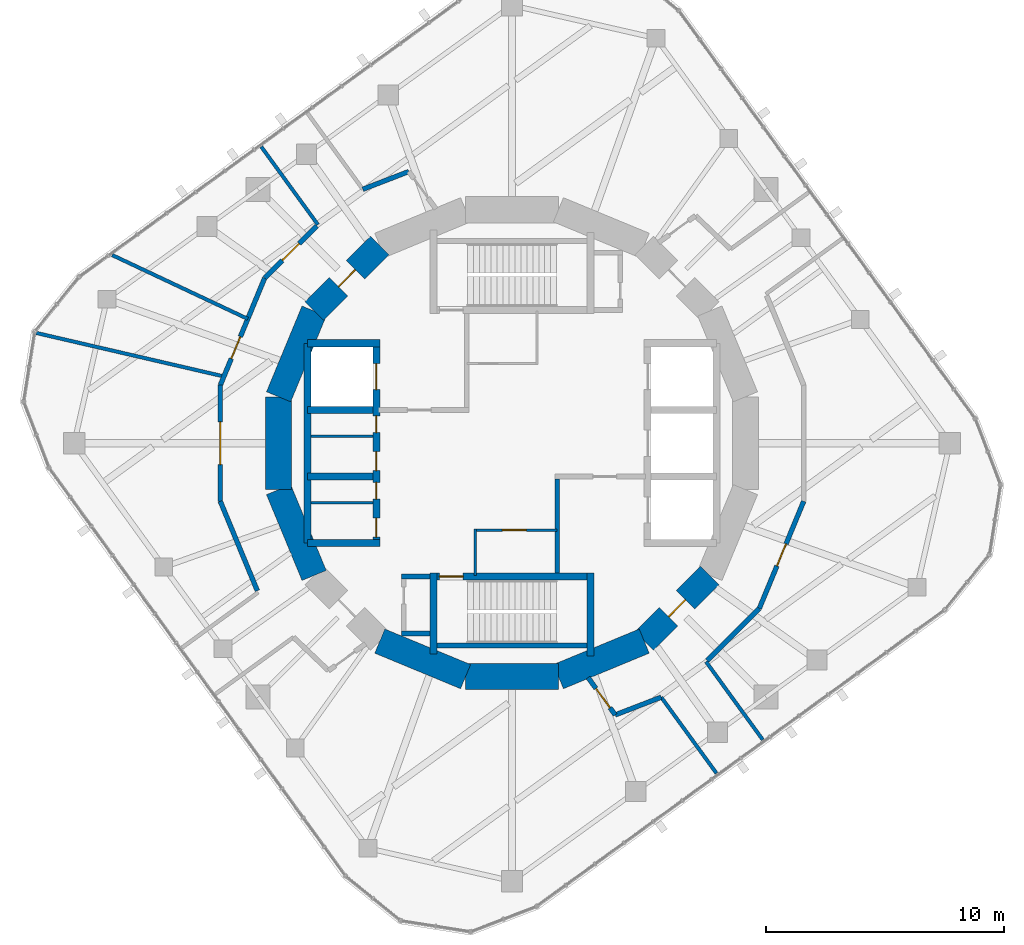
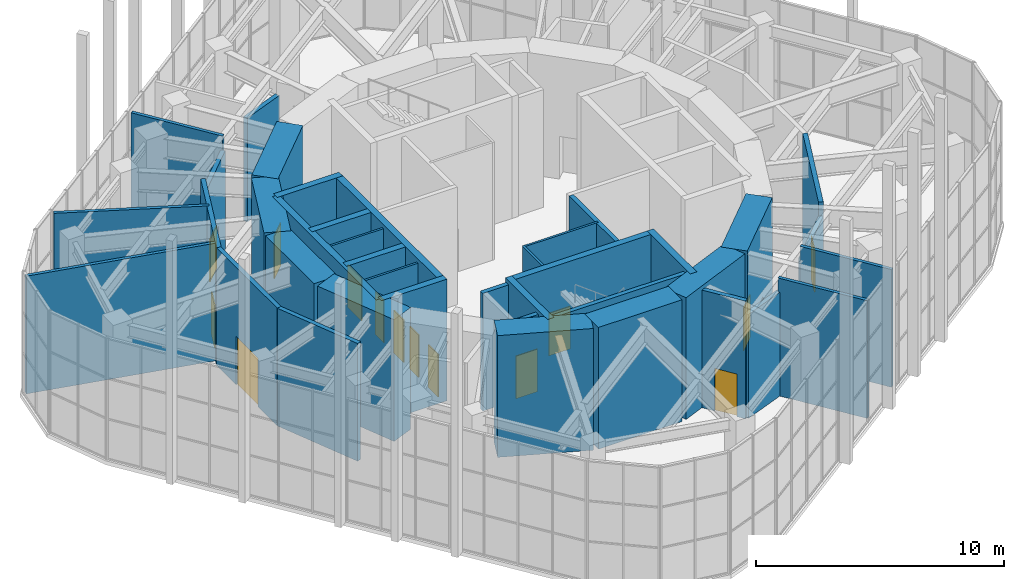
# One storey, part 15 of 17: 39 walls, 14 doors, 14 openings.
"""IFC4 building model written with IfcOpenShell, lengths in metres."""

from ifc_helpers import new_model, si_unit, direction, frame, frame_2d, origin, place, context, subcontext, project, spatial, rectangle, extrude, material, layer, layer_set, type_object, element, fill, save


model = new_model("IFC4")

# Units and contexts
model_context = context("Model", 3, precision=1e-05, world=origin(), true_north=direction((0.0, 1.0)))
body_context = subcontext(model_context, "Body", "Model", "MODEL_VIEW")
ifc_project = project(units=[si_unit("LENGTHUNIT", "METRE"), si_unit("AREAUNIT", "SQUARE_METRE"), si_unit("VOLUMEUNIT", "CUBIC_METRE"), si_unit("PLANEANGLEUNIT", "RADIAN"), si_unit("MASSUNIT", "GRAM", prefix="KILO")], contexts=[model_context])

# Site, building, storey
site_placement = place(None, origin())
site = spatial("IfcSite", under=ifc_project, at=site_placement, CompositionType="ELEMENT")
building_placement = place(site_placement, origin())
building = spatial("IfcBuilding", under=site, at=building_placement, Name="Nakasero Lantern House", CompositionType="ELEMENT")
storey_placement = place(building_placement, frame((0.0, 0.0, 298.39990234375)))
storey = spatial("IfcBuildingStorey", under=building, at=storey_placement, Name="L73", CompositionType="ELEMENT", Elevation=298.39990234375)

# Wall, openings, doors
ifc_material_1 = material(Name="Concrete C50/60", Category="concrete")
ifc_layer_1 = layer(ifc_material_1, 0.300048828125)
ifc_layer_set_1 = layer_set([ifc_layer_1], Name="Core inner wall 300")
wall_type_1 = type_object("IfcWallType", Name="Core inner wall 300", PredefinedType="SHEAR", material=ifc_layer_set_1)
wall_1_placement = place(storey_placement, frame((-5.699951171875, -4.199951171875, 0.0), z_axis=(0.0, 0.0, 1.0), x_axis=(0.0, 1.0, 0.0)))
wall_1 = element("IfcWall", 1, at=wall_1_placement, inside=storey, type_object=wall_type_1, Name="Core inner wall L73 LW", PredefinedType="SHEAR", context=body_context, shape_type="SweptSolid", body=[
    extrude(rectangle(XDim=8.39990234375, YDim=0.300048828125, at=frame_2d((4.199951171875, 0.0))), origin(), (0.0, 0.0, 1.0), 6.0),
])
opening_1_placement = place(wall_1_placement, frame((0.25, 0.0, 0.0)))
opening_1 = element("IfcOpeningElement", 2, at=opening_1_placement, cuts=wall_1, Name="Opening D15", PredefinedType="OPENING", context=body_context, shape_type="SweptSolid", body=[
    extrude(rectangle(XDim=0.800048828125, YDim=2.10009765625, at=frame_2d((0.39990234375, 1.050048828125))), frame((0.0, 0.169921875, 0.0), z_axis=(0.0, -1.0, 0.0), x_axis=(1.0, 0.0, 0.0)), (0.0, 0.0, 1.0), 0.340087890625),
])
opening_2_placement = place(wall_1_placement, frame((1.85009765625, 0.0, 0.0)))
opening_2 = element("IfcOpeningElement", 3, at=opening_2_placement, cuts=wall_1, Name="Opening D20", PredefinedType="OPENING", context=body_context, shape_type="SweptSolid", body=[
    extrude(rectangle(XDim=0.699951171875, YDim=2.10009765625, at=frame_2d((0.35009765625, 1.050048828125))), frame((0.0, 0.169921875, 0.0), z_axis=(0.0, -1.0, 0.0), x_axis=(1.0, 0.0, 0.0)), (0.0, 0.0, 1.0), 0.340087890625),
])
opening_3_placement = place(wall_1_placement, frame((3.050048828125, 0.0, 0.0)))
opening_3 = element("IfcOpeningElement", 4, at=opening_3_placement, cuts=wall_1, Name="Opening D15", PredefinedType="OPENING", context=body_context, shape_type="SweptSolid", body=[
    extrude(rectangle(XDim=0.800048828125, YDim=2.10009765625, at=frame_2d((0.39990234375, 1.050048828125))), frame((0.0, 0.169921875, 0.0), z_axis=(0.0, -1.0, 0.0), x_axis=(1.0, 0.0, 0.0)), (0.0, 0.0, 1.0), 0.340087890625),
])
opening_4_placement = place(wall_1_placement, frame((4.64990234375, 0.0, 0.0)))
opening_4 = element("IfcOpeningElement", 5, at=opening_4_placement, cuts=wall_1, Name="Opening D20", PredefinedType="OPENING", context=body_context, shape_type="SweptSolid", body=[
    extrude(rectangle(XDim=0.699951171875, YDim=2.10009765625, at=frame_2d((0.35009765625, 1.050048828125))), frame((0.0, 0.169921875, 0.0), z_axis=(0.0, -1.0, 0.0), x_axis=(1.0, 0.0, 0.0)), (0.0, 0.0, 1.0), 0.340087890625),
])
opening_5_placement = place(wall_1_placement, frame((6.449951171875, 0.0, 0.0)))
opening_5 = element("IfcOpeningElement", 6, at=opening_5_placement, cuts=wall_1, Name="Opening LD", PredefinedType="OPENING", context=body_context, shape_type="SweptSolid", body=[
    extrude(rectangle(XDim=1.10009765625, YDim=2.10009765625, at=frame_2d((0.550048828125, 1.050048828125))), frame((0.0, 0.169921875, 0.0), z_axis=(0.0, -1.0, 0.0), x_axis=(1.0, 0.0, 0.0)), (0.0, 0.0, 1.0), 0.340087890625),
])
ifc_material_2 = material(Name="Timber C24", Category="wood")
door_type_1 = type_object("IfcDoorType", Name="Cleaner's store door FD30S 700", OperationType="SINGLE_SWING_LEFT", PredefinedType="DOOR", material=ifc_material_2)
door_1_placement = place(opening_2_placement, origin())
door_1 = element("IfcDoor", 7, at=door_1_placement, inside=storey, type_object=door_type_1, Name="Door L73 D-SH-LW1b", OperationType="SINGLE_SWING_LEFT", OverallHeight=2.10009765625, OverallWidth=0.699951171875, PredefinedType="DOOR", context=body_context, shape_type="SweptSolid", body=[
    extrude(rectangle(XDim=0.699951171875, YDim=2.10009765625, at=frame_2d((0.35009765625, 1.050048828125))), frame((0.0, 0.02490234375, 0.0), z_axis=(0.0, -1.0, 0.0), x_axis=(1.0, 0.0, 0.0)), (0.0, 0.0, 1.0), 0.050048828125),
])
fill(opening_2, door_1)
door_2_placement = place(opening_4_placement, origin())
door_2 = element("IfcDoor", 8, at=door_2_placement, inside=storey, type_object=door_type_1, Name="Door L73 D-SH-LW2b", OperationType="SINGLE_SWING_RIGHT", OverallHeight=2.10009765625, OverallWidth=0.699951171875, PredefinedType="DOOR", context=body_context, shape_type="SweptSolid", body=[
    extrude(rectangle(XDim=0.699951171875, YDim=2.10009765625, at=frame_2d((0.35009765625, 1.050048828125))), frame((0.0, 0.02490234375, 0.0), z_axis=(0.0, -1.0, 0.0), x_axis=(1.0, 0.0, 0.0)), (0.0, 0.0, 1.0), 0.050048828125),
])
fill(opening_4, door_2)
ifc_material_3 = material(Name="Timber C24", Category="wood")
door_type_2 = type_object("IfcDoorType", Name="Cleaner's store door FD30S 800", OperationType="SINGLE_SWING_LEFT", PredefinedType="DOOR", material=ifc_material_3)
door_3_placement = place(opening_1_placement, origin())
door_3 = element("IfcDoor", 9, at=door_3_placement, inside=storey, type_object=door_type_2, Name="Door L73 D-SH-LW1a", OperationType="SINGLE_SWING_LEFT", OverallHeight=2.10009765625, OverallWidth=0.800048828125, PredefinedType="DOOR", context=body_context, shape_type="SweptSolid", body=[
    extrude(rectangle(XDim=0.800048828125, YDim=2.10009765625, at=frame_2d((0.39990234375, 1.050048828125))), frame((0.0, 0.02490234375, 0.0), z_axis=(0.0, -1.0, 0.0), x_axis=(1.0, 0.0, 0.0)), (0.0, 0.0, 1.0), 0.050048828125),
])
fill(opening_1, door_3)
door_4_placement = place(opening_3_placement, origin())
door_4 = element("IfcDoor", 10, at=door_4_placement, inside=storey, type_object=door_type_2, Name="Door L73 D-SH-LW2a", OperationType="SINGLE_SWING_LEFT", OverallHeight=2.10009765625, OverallWidth=0.800048828125, PredefinedType="DOOR", context=body_context, shape_type="SweptSolid", body=[
    extrude(rectangle(XDim=0.800048828125, YDim=2.10009765625, at=frame_2d((0.39990234375, 1.050048828125))), frame((0.0, 0.02490234375, 0.0), z_axis=(0.0, -1.0, 0.0), x_axis=(1.0, 0.0, 0.0)), (0.0, 0.0, 1.0), 0.050048828125),
])
fill(opening_3, door_4)
ifc_material_4 = material(Name="Steel S355", Category="steel")
door_type_3 = type_object("IfcDoorType", Name="Lift landing door E120 1100", OperationType="SLIDING_TO_LEFT", PredefinedType="DOOR", material=ifc_material_4)
door_5_placement = place(opening_5_placement, origin())
door_5 = element("IfcDoor", 11, at=door_5_placement, inside=storey, type_object=door_type_3, Name="Lift landing door LW3", OperationType="SLIDING_TO_LEFT", OverallHeight=2.10009765625, OverallWidth=1.10009765625, PredefinedType="DOOR", context=body_context, shape_type="SweptSolid", body=[
    extrude(rectangle(XDim=1.10009765625, YDim=2.10009765625, at=frame_2d((0.550048828125, 1.050048828125))), frame((0.0, 0.02490234375, 0.0), z_axis=(0.0, -1.0, 0.0), x_axis=(1.0, 0.0, 0.0)), (0.0, 0.0, 1.0), 0.050048828125),
])
fill(opening_5, door_5)

# Walls
for number, where, z_axis, x_axis, name in (
    (12, (-8.60009765625, 4.199951171875, 0.0), (0.0, 0.0, 1.0), (1.0, 0.0, 0.0), "Core inner wall L73 LWN"),
    (13, (-8.60009765625, -4.199951171875, 0.0), (0.0, 0.0, 1.0), (1.0, 0.0, 0.0), "Core inner wall L73 LWS"),
):
    element("IfcWall", number, at=place(storey_placement, frame(where, z_axis=z_axis, x_axis=x_axis)), inside=storey, type_object=wall_type_1, Name=name, PredefinedType="SHEAR", context=body_context, shape_type="SweptSolid", body=[
        extrude(rectangle(XDim=3.050048828125, YDim=0.300048828125, at=frame_2d((1.52490234375, 0.0))), origin(), (0.0, 0.0, 1.0), 6.0),
    ])
wall_2_placement = place(storey_placement, frame((-8.60009765625, -4.199951171875, 0.0), z_axis=(0.0, 0.0, 1.0), x_axis=(0.0, 1.0, 0.0)))
element("IfcWall", 14, at=wall_2_placement, inside=storey, type_object=wall_type_1, Name="Core inner wall L73 LWB", PredefinedType="SHEAR", context=body_context, shape_type="SweptSolid", body=[
    extrude(rectangle(XDim=8.39990234375, YDim=0.300048828125, at=frame_2d((4.199951171875, 0.0))), origin(), (0.0, 0.0, 1.0), 6.0),
])
for number, where, z_axis, x_axis, name in (
    (15, (-8.60009765625, -1.39990234375, 0.0), (0.0, 0.0, 1.0), (1.0, 0.0, 0.0), "Core inner wall L73 LW1"),
    (16, (-8.60009765625, 1.39990234375, 0.0), (0.0, 0.0, 1.0), (1.0, 0.0, 0.0), "Core inner wall L73 LW2"),
):
    element("IfcWall", number, at=place(storey_placement, frame(where, z_axis=z_axis, x_axis=x_axis)), inside=storey, type_object=wall_type_1, Name=name, PredefinedType="SHEAR", context=body_context, shape_type="SweptSolid", body=[
        extrude(rectangle(XDim=2.75, YDim=0.300048828125, at=frame_2d((1.375, 0.0))), origin(), (0.0, 0.0, 1.0), 6.0),
    ])

# Wall, opening, door
wall_3_placement = place(storey_placement, frame((-3.449951171875, -5.60009765625, 0.0), z_axis=(0.0, 0.0, 1.0), x_axis=(1.0, 0.0, 0.0)))
wall_3 = element("IfcWall", 17, at=wall_3_placement, inside=storey, type_object=wall_type_1, Name="Core inner wall L73 SS", PredefinedType="SHEAR", context=body_context, shape_type="SweptSolid", body=[
    extrude(rectangle(XDim=6.89990234375, YDim=0.300048828125, at=frame_2d((3.449951171875, 0.0))), origin(), (0.0, 0.0, 1.0), 6.0),
])
opening_6_placement = place(wall_3_placement, frame((0.39990234375, 0.0, 0.0)))
opening_6 = element("IfcOpeningElement", 18, at=opening_6_placement, cuts=wall_3, Name="Opening D05", PredefinedType="OPENING", context=body_context, shape_type="SweptSolid", body=[
    extrude(rectangle(XDim=1.0, YDim=2.10009765625, at=frame_2d((0.5, 1.050048828125))), frame((0.0, 0.169921875, 0.0), z_axis=(0.0, -1.0, 0.0), x_axis=(1.0, 0.0, 0.0)), (0.0, 0.0, 1.0), 0.340087890625),
])
ifc_material_5 = material(Name="Timber C24", Category="wood")
door_type_4 = type_object("IfcDoorType", Name="Core door FD60S 1000", OperationType="SINGLE_SWING_LEFT", PredefinedType="DOOR", material=ifc_material_5)
door_6_placement = place(opening_6_placement, origin())
door_6 = element("IfcDoor", 19, at=door_6_placement, inside=storey, type_object=door_type_4, Name="Door L73 D-ST2", OperationType="SINGLE_SWING_LEFT", OverallHeight=2.10009765625, OverallWidth=1.0, PredefinedType="DOOR", context=body_context, shape_type="SweptSolid", body=[
    extrude(rectangle(XDim=1.0, YDim=2.10009765625, at=frame_2d((0.5, 1.050048828125))), frame((0.0, 0.02490234375, 0.0), z_axis=(0.0, -1.0, 0.0), x_axis=(1.0, 0.0, 0.0)), (0.0, 0.0, 1.0), 0.050048828125),
])
fill(opening_6, door_6)

# Walls
wall_4_placement = place(storey_placement, frame((-3.300048828125, -5.449951171875, 0.0), z_axis=(0.0, 0.0, 1.0), x_axis=(0.0, -1.0, 0.0)))
element("IfcWall", 20, at=wall_4_placement, inside=storey, type_object=wall_type_1, Name="Core inner wall L73 SSW", PredefinedType="SHEAR", context=body_context, shape_type="SweptSolid", body=[
    extrude(rectangle(XDim=3.400146484375, YDim=0.300048828125, at=frame_2d((1.7001953125, 0.0))), origin(), (0.0, 0.0, 1.0), 6.0),
])
wall_5_placement = place(storey_placement, frame((3.300048828125, -5.449951171875, 0.0), z_axis=(0.0, 0.0, 1.0), x_axis=(0.0, -1.0, 0.0)))
element("IfcWall", 21, at=wall_5_placement, inside=storey, type_object=wall_type_1, Name="Core inner wall L73 SSE", PredefinedType="SHEAR", context=body_context, shape_type="SweptSolid", body=[
    extrude(rectangle(XDim=3.5, YDim=0.300048828125, at=frame_2d((1.75, 0.0))), origin(), (0.0, 0.0, 1.0), 6.0),
])

# Wall, opening, door
ifc_material_6 = material(Name="Blockwork", Category="masonry")
ifc_layer_2 = layer(ifc_material_6, 0.10009765625)
ifc_layer_set_2 = layer_set([ifc_layer_2], Name="Core room wall 100")
wall_type_2 = type_object("IfcWallType", Name="Core room wall 100", PredefinedType="PARTITIONING", material=ifc_layer_set_2)
wall_6_placement = place(storey_placement, frame((-1.60009765625, -3.64990234375, 0.0), z_axis=(0.0, 0.0, 1.0), x_axis=(1.0, 0.0, 0.0)))
wall_6 = element("IfcWall", 22, at=wall_6_placement, inside=storey, type_object=wall_type_2, Name="Core room wall L73 CR-SWN", PredefinedType="PARTITIONING", context=body_context, shape_type="SweptSolid", body=[
    extrude(rectangle(XDim=3.5, YDim=0.10009765625, at=frame_2d((1.75, 0.0))), origin(), (0.0, 0.0, 1.0), 5.800048828125),
])
opening_7_placement = place(wall_6_placement, frame((1.199951171875, 0.0, 0.0)))
opening_7 = element("IfcOpeningElement", 23, at=opening_7_placement, cuts=wall_6, Name="Opening D07", PredefinedType="OPENING", context=body_context, shape_type="SweptSolid", body=[
    extrude(rectangle(XDim=1.0, YDim=2.10009765625, at=frame_2d((0.5, 1.050048828125))), frame((0.0, 0.070068359375, 0.0), z_axis=(0.0, -1.0, 0.0), x_axis=(1.0, 0.0, 0.0)), (0.0, 0.0, 1.0), 0.14013671875),
])
ifc_material_7 = material(Name="Timber C24", Category="wood")
door_type_5 = type_object("IfcDoorType", Name="Room door FD30S 1000", OperationType="SINGLE_SWING_LEFT", PredefinedType="DOOR", material=ifc_material_7)
door_7_placement = place(opening_7_placement, origin())
door_7 = element("IfcDoor", 24, at=door_7_placement, inside=storey, type_object=door_type_5, Name="Door L73 D-CR-SW", OperationType="SINGLE_SWING_LEFT", OverallHeight=2.10009765625, OverallWidth=1.0, PredefinedType="DOOR", context=body_context, shape_type="SweptSolid", body=[
    extrude(rectangle(XDim=1.0, YDim=2.10009765625, at=frame_2d((0.5, 1.050048828125))), frame((0.0, 0.02490234375, 0.0), z_axis=(0.0, -1.0, 0.0), x_axis=(1.0, 0.0, 0.0)), (0.0, 0.0, 1.0), 0.050048828125),
])
fill(opening_7, door_7)

# Walls
wall_7_placement = place(storey_placement, frame((-1.550048828125, -5.550048828125, 0.0), z_axis=(0.0, 0.0, 1.0), x_axis=(0.0, 1.0, 0.0)))
element("IfcWall", 25, at=wall_7_placement, inside=storey, type_object=wall_type_2, Name="Core room wall L73 CR-SWW", PredefinedType="PARTITIONING", context=body_context, shape_type="SweptSolid", body=[
    extrude(rectangle(XDim=1.949951171875, YDim=0.10009765625, at=frame_2d((0.97509765625, 0.0))), origin(), (0.0, 0.0, 1.0), 5.800048828125),
])
for number, where, z_axis, x_axis, name in (
    (26, (-8.449951171875, -2.5, 0.0), (0.0, 0.0, 1.0), (1.0, 0.0, 0.0), "Core room wall L73 CR-SH-LW1b"),
    (27, (-8.449951171875, 0.300048828125, 0.0), (0.0, 0.0, 1.0), (1.0, 0.0, 0.0), "Core room wall L73 CR-SH-LW2b"),
):
    element("IfcWall", number, at=place(storey_placement, frame(where, z_axis=z_axis, x_axis=x_axis)), inside=storey, type_object=wall_type_2, Name=name, PredefinedType="PARTITIONING", context=body_context, shape_type="SweptSolid", body=[
        extrude(rectangle(XDim=2.599853515625, YDim=0.10009765625, at=frame_2d((1.2998046875, 0.0))), origin(), (0.0, 0.0, 1.0), 5.800048828125),
    ])

# Wall, opening, door
ifc_material_8 = material(Name="Concrete C50/60", Category="concrete")
ifc_layer_3 = layer(ifc_material_8, 1.10009765625)
ifc_layer_set_3 = layer_set([ifc_layer_3], Name="Core wall 1100")
wall_type_3 = type_object("IfcWallType", Name="Core wall 1100", PredefinedType="SHEAR", material=ifc_layer_set_3)
wall_8_placement = place(storey_placement, frame((-5.5556640625, 8.314697265625, 0.0), z_axis=(0.0, 0.0, 1.0), x_axis=(-0.707106781187, -0.707106781187, 0.0)))
wall_8 = element("IfcWall", 28, at=wall_8_placement, inside=storey, type_object=wall_type_3, Name="Core wall L73 facet 6", PredefinedType="SHEAR", context=body_context, shape_type="SweptSolid", body=[
    extrude(rectangle(XDim=3.90185546875, YDim=1.10009765625, at=frame_2d((1.950927734375, 0.0))), origin(), (0.0, 0.0, 1.0), 6.0),
])
opening_8_placement = place(wall_8_placement, frame((1.450927734375, 0.0, 0.0)))
opening_8 = element("IfcOpeningElement", 29, at=opening_8_placement, cuts=wall_8, Name="Opening D05", PredefinedType="OPENING", context=body_context, shape_type="SweptSolid", body=[
    extrude(rectangle(XDim=1.0, YDim=2.10009765625, at=frame_2d((0.5, 1.050048828125))), frame((0.0, 0.570068359375, 0.0), z_axis=(0.0, -1.0, 0.0), x_axis=(1.0, 0.0, 0.0)), (0.0, 0.0, 1.0), 1.14013671875),
])
door_8_placement = place(opening_8_placement, origin())
door_8 = element("IfcDoor", 30, at=door_8_placement, inside=storey, type_object=door_type_4, Name="Door L73 D-CORE06", OperationType="SINGLE_SWING_LEFT", OverallHeight=2.10009765625, OverallWidth=1.0, PredefinedType="DOOR", context=body_context, shape_type="SweptSolid", body=[
    extrude(rectangle(XDim=1.0, YDim=2.10009765625, at=frame_2d((0.5, 1.050048828125))), frame((0.0, 0.02490234375, 0.0), z_axis=(0.0, -1.0, 0.0), x_axis=(1.0, 0.0, 0.0)), (0.0, 0.0, 1.0), 0.050048828125),
])
fill(opening_8, door_8)

# Walls
for number, where, z_axis, x_axis, name in (
    (31, (-8.314697265625, 5.5556640625, 0.0), (0.0, 0.0, 1.0), (-0.382690736062, -0.923876507187, 0.0), "Core wall L73 facet 7"),
    (32, (-9.807861328125, 1.950927734375, 0.0), (0.0, 0.0, 1.0), (0.0, -1.0, 0.0), "Core wall L73 facet 8"),
    (33, (-9.807861328125, -1.950927734375, 0.0), (0.0, 0.0, 1.0), (0.382690736062, -0.923876507187, 0.0), "Core wall L73 facet 9"),
    (34, (-5.5556640625, -8.314697265625, 0.0), (0.0, 0.0, 1.0), (0.923876507187, -0.382690736062, 0.0), "Core wall L73 facet 11"),
    (35, (-1.950927734375, -9.807861328125, 0.0), (0.0, 0.0, 1.0), (1.0, 0.0, 0.0), "Core wall L73 facet 12"),
    (36, (1.950927734375, -9.807861328125, 0.0), (0.0, 0.0, 1.0), (0.923876507187, 0.382690736062, 0.0), "Core wall L73 facet 13"),
):
    element("IfcWall", number, at=place(storey_placement, frame(where, z_axis=z_axis, x_axis=x_axis)), inside=storey, type_object=wall_type_3, Name=name, PredefinedType="SHEAR", context=body_context, shape_type="SweptSolid", body=[
        extrude(rectangle(XDim=3.90185546875, YDim=1.10009765625, at=frame_2d((1.950927734375, 0.0))), origin(), (0.0, 0.0, 1.0), 6.0),
    ])

# Wall, opening, door
wall_9_placement = place(storey_placement, frame((5.5556640625, -8.314697265625, 0.0), z_axis=(0.0, 0.0, 1.0), x_axis=(0.707106781187, 0.707106781187, 0.0)))
wall_9 = element("IfcWall", 37, at=wall_9_placement, inside=storey, type_object=wall_type_3, Name="Core wall L73 facet 14", PredefinedType="SHEAR", context=body_context, shape_type="SweptSolid", body=[
    extrude(rectangle(XDim=3.90185546875, YDim=1.10009765625, at=frame_2d((1.950927734375, 0.0))), origin(), (0.0, 0.0, 1.0), 6.0),
])
opening_9_placement = place(wall_9_placement, frame((1.450927734375, 0.0, 0.0)))
opening_9 = element("IfcOpeningElement", 38, at=opening_9_placement, cuts=wall_9, Name="Opening D05", PredefinedType="OPENING", context=body_context, shape_type="SweptSolid", body=[
    extrude(rectangle(XDim=1.0, YDim=2.10009765625, at=frame_2d((0.5, 1.050048828125))), frame((0.0, 0.570068359375, 0.0), z_axis=(0.0, -1.0, 0.0), x_axis=(1.0, 0.0, 0.0)), (0.0, 0.0, 1.0), 1.14013671875),
])
door_9_placement = place(opening_9_placement, origin())
door_9 = element("IfcDoor", 39, at=door_9_placement, inside=storey, type_object=door_type_4, Name="Door L73 D-CORE14", OperationType="SINGLE_SWING_LEFT", OverallHeight=2.10009765625, OverallWidth=1.0, PredefinedType="DOOR", context=body_context, shape_type="SweptSolid", body=[
    extrude(rectangle(XDim=1.0, YDim=2.10009765625, at=frame_2d((0.5, 1.050048828125))), frame((0.0, 0.02490234375, 0.0), z_axis=(0.0, -1.0, 0.0), x_axis=(1.0, 0.0, 0.0)), (0.0, 0.0, 1.0), 0.050048828125),
])
fill(opening_9, door_9)

ifc_material_9 = material(Name="Blockwork", Category="masonry")
ifc_layer_4 = layer(ifc_material_9, 0.199951171875)
ifc_layer_set_4 = layer_set([ifc_layer_4], Name="Corridor wall 200")
wall_type_4 = type_object("IfcWallType", Name="Corridor wall 200", PredefinedType="PARTITIONING", material=ifc_layer_set_4)
wall_10_placement = place(storey_placement, frame((12.2578125, -2.438232421875, 0.0), z_axis=(0.0, 0.0, 1.0), x_axis=(-0.382687830351, -0.923877710793, 0.0)))
wall_10 = element("IfcWall", 40, at=wall_10_placement, inside=storey, type_object=wall_type_4, Name="Corridor wall L73 TC01", PredefinedType="PARTITIONING", context=body_context, shape_type="SweptSolid", body=[
    extrude(rectangle(XDim=4.876708984375, YDim=0.199951171875, at=frame_2d((2.4384765625, 0.0))), origin(), (0.0, 0.0, 1.0), 5.800048828125),
])
opening_10_placement = place(wall_10_placement, frame((1.938232421875, 0.0, 0.0)))
opening_10 = element("IfcOpeningElement", 41, at=opening_10_placement, cuts=wall_10, Name="Opening D07", PredefinedType="OPENING", context=body_context, shape_type="SweptSolid", body=[
    extrude(rectangle(XDim=1.0, YDim=2.10009765625, at=frame_2d((0.5, 1.050048828125))), frame((0.0, 0.119873046875, 0.0), z_axis=(0.0, -1.0, 0.0), x_axis=(1.0, 0.0, 0.0)), (0.0, 0.0, 1.0), 0.239990234375),
])
door_10_placement = place(opening_10_placement, origin())
door_10 = element("IfcDoor", 42, at=door_10_placement, inside=storey, type_object=door_type_5, Name="Door L73 TDR30", OperationType="SINGLE_SWING_RIGHT", OverallHeight=2.10009765625, OverallWidth=1.0, PredefinedType="DOOR", context=body_context, shape_type="SweptSolid", body=[
    extrude(rectangle(XDim=1.0, YDim=2.10009765625, at=frame_2d((0.5, 1.050048828125))), frame((0.0, 0.02490234375, 0.0), z_axis=(0.0, -1.0, 0.0), x_axis=(1.0, 0.0, 0.0)), (0.0, 0.0, 1.0), 0.050048828125),
])
fill(opening_10, door_10)

# Walls
wall_11_placement = place(storey_placement, frame((10.3916015625, -6.943603515625, 0.0), z_axis=(0.0, 0.0, 1.0), x_axis=(-0.707106781187, -0.707106781187, 0.0)))
element("IfcWall", 43, at=wall_11_placement, inside=storey, type_object=wall_type_4, Name="Corridor wall L73 TC02", PredefinedType="PARTITIONING", context=body_context, shape_type="SweptSolid", body=[
    extrude(rectangle(XDim=3.0888671875, YDim=0.199951171875, at=frame_2d((1.54443359375, 0.0))), origin(), (0.0, 0.0, 1.0), 5.11669921875),
])
wall_12_placement = place(storey_placement, frame((-10.700439453125, -6.1982421875, 0.0), z_axis=(0.0, 0.0, 1.0), x_axis=(-0.382667913838, 0.923885960343, 0.0)))
element("IfcWall", 44, at=wall_12_placement, inside=storey, type_object=wall_type_4, Name="Corridor wall L73 TC03", PredefinedType="PARTITIONING", context=body_context, shape_type="SweptSolid", body=[
    extrude(rectangle(XDim=4.06982421875, YDim=0.199951171875, at=frame_2d((2.034912109375, 0.0))), origin(), (0.0, 0.0, 1.0), 5.800048828125),
])

# Wall, opening, door
wall_13_placement = place(storey_placement, frame((-12.2578125, -2.438232421875, 0.0), z_axis=(0.0, 0.0, 1.0), x_axis=(0.0, 1.0, 0.0)))
wall_13 = element("IfcWall", 45, at=wall_13_placement, inside=storey, type_object=wall_type_4, Name="Corridor wall L73 TC04", PredefinedType="PARTITIONING", context=body_context, shape_type="SweptSolid", body=[
    extrude(rectangle(XDim=4.87646484375, YDim=0.199951171875, at=frame_2d((2.438232421875, 0.0))), origin(), (0.0, 0.0, 1.0), 5.800048828125),
])
opening_11_placement = place(wall_13_placement, frame((1.538330078125, 0.0, 0.0)))
opening_11 = element("IfcOpeningElement", 46, at=opening_11_placement, cuts=wall_13, Name="Opening D12", PredefinedType="OPENING", context=body_context, shape_type="SweptSolid", body=[
    extrude(rectangle(XDim=1.800048828125, YDim=2.39990234375, at=frame_2d((0.89990234375, 1.199951171875))), frame((0.0, 0.119873046875, 0.0), z_axis=(0.0, -1.0, 0.0), x_axis=(1.0, 0.0, 0.0)), (0.0, 0.0, 1.0), 0.239990234375),
])
ifc_material_10 = material(Name="Timber C24", Category="wood")
door_type_6 = type_object("IfcDoorType", Name="Room doors FD30S 1800", OperationType="DOUBLE_DOOR_SINGLE_SWING", PredefinedType="DOOR", material=ifc_material_10)
door_11_placement = place(opening_11_placement, origin())
door_11 = element("IfcDoor", 47, at=door_11_placement, inside=storey, type_object=door_type_6, Name="Door L73 TDR12", OperationType="DOUBLE_DOOR_SINGLE_SWING", OverallHeight=2.39990234375, OverallWidth=1.800048828125, PredefinedType="DOOR", context=body_context, shape_type="SweptSolid", body=[
    extrude(rectangle(XDim=1.800048828125, YDim=2.39990234375, at=frame_2d((0.89990234375, 1.199951171875))), frame((0.0, 0.02490234375, 0.0), z_axis=(0.0, -1.0, 0.0), x_axis=(1.0, 0.0, 0.0)), (0.0, 0.0, 1.0), 0.050048828125),
])
fill(opening_11, door_11)

wall_14_placement = place(storey_placement, frame((-12.2578125, 2.438232421875, 0.0), z_axis=(0.0, 0.0, 1.0), x_axis=(0.382687830351, 0.923877710793, 0.0)))
wall_14 = element("IfcWall", 48, at=wall_14_placement, inside=storey, type_object=wall_type_4, Name="Corridor wall L73 TC05", PredefinedType="PARTITIONING", context=body_context, shape_type="SweptSolid", body=[
    extrude(rectangle(XDim=4.876708984375, YDim=0.199951171875, at=frame_2d((2.4384765625, 0.0))), origin(), (0.0, 0.0, 1.0), 5.800048828125),
])
opening_12_placement = place(wall_14_placement, frame((1.20654296875, 0.0, 0.0)))
opening_12 = element("IfcOpeningElement", 49, at=opening_12_placement, cuts=wall_14, Name="Opening D07", PredefinedType="OPENING", context=body_context, shape_type="SweptSolid", body=[
    extrude(rectangle(XDim=1.0, YDim=2.10009765625, at=frame_2d((0.5, 1.050048828125))), frame((0.0, 0.119873046875, 0.0), z_axis=(0.0, -1.0, 0.0), x_axis=(1.0, 0.0, 0.0)), (0.0, 0.0, 1.0), 0.239990234375),
])
door_12_placement = place(opening_12_placement, origin())
door_12 = element("IfcDoor", 50, at=door_12_placement, inside=storey, type_object=door_type_5, Name="Door L73 TDR11", OperationType="SINGLE_SWING_LEFT", OverallHeight=2.10009765625, OverallWidth=1.0, PredefinedType="DOOR", context=body_context, shape_type="SweptSolid", body=[
    extrude(rectangle(XDim=1.0, YDim=2.10009765625, at=frame_2d((0.5, 1.050048828125))), frame((0.0, 0.02490234375, 0.0), z_axis=(0.0, -1.0, 0.0), x_axis=(1.0, 0.0, 0.0)), (0.0, 0.0, 1.0), 0.050048828125),
])
fill(opening_12, door_12)

wall_15_placement = place(storey_placement, frame((-10.3916015625, 6.943603515625, 0.0), z_axis=(0.0, 0.0, 1.0), x_axis=(0.707106781187, 0.707106781187, 0.0)))
wall_15 = element("IfcWall", 51, at=wall_15_placement, inside=storey, type_object=wall_type_4, Name="Corridor wall L73 TC06", PredefinedType="PARTITIONING", context=body_context, shape_type="SweptSolid", body=[
    extrude(rectangle(XDim=3.0888671875, YDim=0.199951171875, at=frame_2d((1.54443359375, 0.0))), origin(), (0.0, 0.0, 1.0), 5.11669921875),
])
opening_13_placement = place(wall_15_placement, frame((1.04443359375, 0.0, 0.0)))
opening_13 = element("IfcOpeningElement", 52, at=opening_13_placement, cuts=wall_15, Name="Opening D07", PredefinedType="OPENING", context=body_context, shape_type="SweptSolid", body=[
    extrude(rectangle(XDim=1.0, YDim=2.10009765625, at=frame_2d((0.5, 1.050048828125))), frame((0.0, 0.119873046875, 0.0), z_axis=(0.0, -1.0, 0.0), x_axis=(1.0, 0.0, 0.0)), (0.0, 0.0, 1.0), 0.239990234375),
])
door_13_placement = place(opening_13_placement, origin())
door_13 = element("IfcDoor", 53, at=door_13_placement, inside=storey, type_object=door_type_5, Name="Door L73 TDR10", OperationType="SINGLE_SWING_LEFT", OverallHeight=2.10009765625, OverallWidth=1.0, PredefinedType="DOOR", context=body_context, shape_type="SweptSolid", body=[
    extrude(rectangle(XDim=1.0, YDim=2.10009765625, at=frame_2d((0.5, 1.050048828125))), frame((0.0, 0.02490234375, 0.0), z_axis=(0.0, -1.0, 0.0), x_axis=(1.0, 0.0, 0.0)), (0.0, 0.0, 1.0), 0.050048828125),
])
fill(opening_13, door_13)

wall_16_placement = place(storey_placement, frame((3.197021484375, -9.8466796875, 0.0), z_axis=(0.0, 0.0, 1.0), x_axis=(0.587775246478, -0.80902426393, 0.0)))
wall_16 = element("IfcWall", 54, at=wall_16_placement, inside=storey, type_object=wall_type_4, Name="Corridor wall L73 TQ21", PredefinedType="PARTITIONING", context=body_context, shape_type="SweptSolid", body=[
    extrude(rectangle(XDim=1.94091796875, YDim=0.199951171875, at=frame_2d((0.970458984375, 0.0))), origin(), (0.0, 0.0, 1.0), 5.800048828125),
])
opening_14_placement = place(wall_16_placement, frame((0.566650390625, 0.0, 0.0)))
opening_14 = element("IfcOpeningElement", 55, at=opening_14_placement, cuts=wall_16, Name="Opening D03", PredefinedType="OPENING", context=body_context, shape_type="SweptSolid", body=[
    extrude(rectangle(XDim=1.0, YDim=2.10009765625, at=frame_2d((0.5, 1.050048828125))), frame((0.0, 0.119873046875, 0.0), z_axis=(0.0, -1.0, 0.0), x_axis=(1.0, 0.0, 0.0)), (0.0, 0.0, 1.0), 0.239990234375),
])
ifc_material_11 = material(Name="Timber C24", Category="wood")
door_type_7 = type_object("IfcDoorType", Name="Lounge door FD30S 1000", OperationType="SINGLE_SWING_LEFT", PredefinedType="DOOR", material=ifc_material_11)
door_14_placement = place(opening_14_placement, origin())
door_14 = element("IfcDoor", 56, at=door_14_placement, inside=storey, type_object=door_type_7, Name="Door L73 DQ21", OperationType="SINGLE_SWING_RIGHT", OverallHeight=2.10009765625, OverallWidth=1.0, PredefinedType="DOOR", context=body_context, shape_type="SweptSolid", body=[
    extrude(rectangle(XDim=1.0, YDim=2.10009765625, at=frame_2d((0.5, 1.050048828125))), frame((0.0, 0.02490234375, 0.0), z_axis=(0.0, -1.0, 0.0), x_axis=(1.0, 0.0, 0.0)), (0.0, 0.0, 1.0), 0.050048828125),
])
fill(opening_14, door_14)

# Walls
for number, where, z_axis, x_axis, name in (
    (57, (-4.337890625, 11.4169921875, 0.0), (0.0, 0.0, 1.0), (-0.932834162465, -0.36030601624, 0.0), "Corridor wall L73 TR00"),
    (58, (4.337890625, -11.4169921875, 0.0), (0.0, 0.0, 1.0), (0.932834162465, 0.36030601624, 0.0), "Corridor wall L73 TR21"),
):
    element("IfcWall", number, at=place(storey_placement, frame(where, z_axis=z_axis, x_axis=x_axis)), inside=storey, type_object=wall_type_4, Name=name, PredefinedType="PARTITIONING", context=body_context, shape_type="SweptSolid", body=[
        extrude(rectangle(XDim=2.07080078125, YDim=0.199951171875, at=frame_2d((1.035400390625, 0.0))), origin(), (0.0, 0.0, 1.0), 5.11669921875),
    ])
ifc_material_12 = material(Name="Blockwork", Category="masonry")
ifc_layer_5 = layer(ifc_material_12, 0.199951171875)
ifc_layer_set_5 = layer_set([ifc_layer_5], Name="Fire lobby wall 200")
wall_type_5 = type_object("IfcWallType", Name="Fire lobby wall 200", PredefinedType="PARTITIONING", material=ifc_layer_set_5)
wall_17_placement = place(storey_placement, frame((1.89990234375, -1.5, 0.0), z_axis=(0.0, 0.0, 1.0), x_axis=(0.0, -1.0, 0.0)))
element("IfcWall", 59, at=wall_17_placement, inside=storey, type_object=wall_type_5, Name="Fire lobby wall L73 W-FL2W", PredefinedType="PARTITIONING", context=body_context, shape_type="SweptSolid", body=[
    extrude(rectangle(XDim=3.949951171875, YDim=0.199951171875, at=frame_2d((1.97509765625, 0.0))), origin(), (0.0, 0.0, 1.0), 5.800048828125),
])
for number, where, z_axis, x_axis, name in (
    (60, (-3.449951171875, -8.0, 0.0), (0.0, 0.0, 1.0), (-1.0, 0.0, 0.0), "Fire lobby wall L73 W-RS2S"),
    (61, (-3.449951171875, -5.60009765625, 0.0), (0.0, 0.0, 1.0), (-1.0, 0.0, 0.0), "Fire lobby wall L73 W-RS2N"),
):
    element("IfcWall", number, at=place(storey_placement, frame(where, z_axis=z_axis, x_axis=x_axis)), inside=storey, type_object=wall_type_5, Name=name, PredefinedType="PARTITIONING", context=body_context, shape_type="SweptSolid", body=[
        extrude(rectangle(XDim=1.199951171875, YDim=0.199951171875, at=frame_2d((0.60009765625, 0.0))), origin(), (0.0, 0.0, 1.0), 5.800048828125),
    ])
wall_18_placement = place(storey_placement, frame((-3.300048828125, -8.5, 0.0), z_axis=(0.0, 0.0, 1.0), x_axis=(1.0, 0.0, 0.0)))
element("IfcWall", 62, at=wall_18_placement, inside=storey, type_object=wall_type_5, Name="Fire lobby wall L73 W-STS", PredefinedType="PARTITIONING", context=body_context, shape_type="SweptSolid", body=[
    extrude(rectangle(XDim=6.60009765625, YDim=0.199951171875, at=frame_2d((3.300048828125, 0.0))), origin(), (0.0, 0.0, 1.0), 5.800048828125),
])
ifc_material_13 = material(Name="Blockwork", Category="masonry")
ifc_layer_6 = layer(ifc_material_13, 0.14990234375)
ifc_layer_set_6 = layer_set([ifc_layer_6], Name="Party wall 150")
wall_type_6 = type_object("IfcWallType", Name="Party wall 150", PredefinedType="PARTITIONING", material=ifc_layer_set_6)
wall_19_placement = place(storey_placement, frame((-11.103515625, 5.224853515625, 0.0), z_axis=(0.0, 0.0, 1.0), x_axis=(-0.904823096715, 0.425787697863, 0.0)))
element("IfcWall", 63, at=wall_19_placement, inside=storey, type_object=wall_type_6, Name="Party wall L73 TD10", PredefinedType="PARTITIONING", context=body_context, shape_type="SweptSolid", body=[
    extrude(rectangle(XDim=6.295166015625, YDim=0.14990234375, at=frame_2d((3.1474609375, 0.0))), origin(), (0.0, 0.0, 1.0), 5.800048828125),
])
wall_20_placement = place(storey_placement, frame((-12.10546875, 2.805908203125, 0.0), z_axis=(0.0, 0.0, 1.0), x_axis=(-0.974171648787, 0.225808765773, 0.0)))
element("IfcWall", 64, at=wall_20_placement, inside=storey, type_object=wall_type_6, Name="Party wall L73 TD11", PredefinedType="PARTITIONING", context=body_context, shape_type="SweptSolid", body=[
    extrude(rectangle(XDim=8.0947265625, YDim=0.14990234375, at=frame_2d((4.04736328125, 0.0))), origin(), (0.0, 0.0, 1.0), 5.800048828125),
])
for number, where, z_axis, x_axis, name in (
    (65, (-8.15380859375, 9.181396484375, 0.0), (0.0, 0.0, 1.0), (-0.587834670291, 0.808981087791, 0.0), "Party wall L73 TP1L"),
    (66, (8.15380859375, -9.181396484375, 0.0), (0.0, 0.0, 1.0), (0.587834670291, -0.808981087791, 0.0), "Party wall L73 TP3L"),
):
    element("IfcWall", number, at=place(storey_placement, frame(where, z_axis=z_axis, x_axis=x_axis)), inside=storey, type_object=wall_type_6, Name=name, PredefinedType="PARTITIONING", context=body_context, shape_type="SweptSolid", body=[
        extrude(rectangle(XDim=4.04931640625, YDim=0.14990234375, at=frame_2d((2.024658203125, 0.0))), origin(), (0.0, 0.0, 1.0), 5.800048828125),
    ])
wall_21_placement = place(storey_placement, frame((6.26953125, -10.6708984375, 0.0), z_axis=(0.0, 0.0, 1.0), x_axis=(0.587793300493, -0.809011146953, 0.0)))
element("IfcWall", 67, at=wall_21_placement, inside=storey, type_object=wall_type_6, Name="Party wall L73 TP3R", PredefinedType="PARTITIONING", context=body_context, shape_type="SweptSolid", body=[
    extrude(rectangle(XDim=3.9521484375, YDim=0.14990234375, at=frame_2d((1.97607421875, 0.0))), origin(), (0.0, 0.0, 1.0), 5.800048828125),
])

save(model, "model.ifc")
